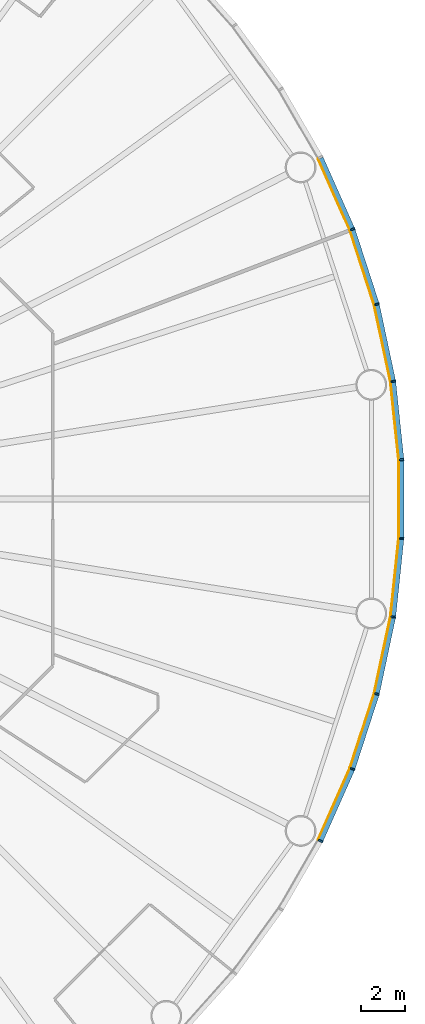
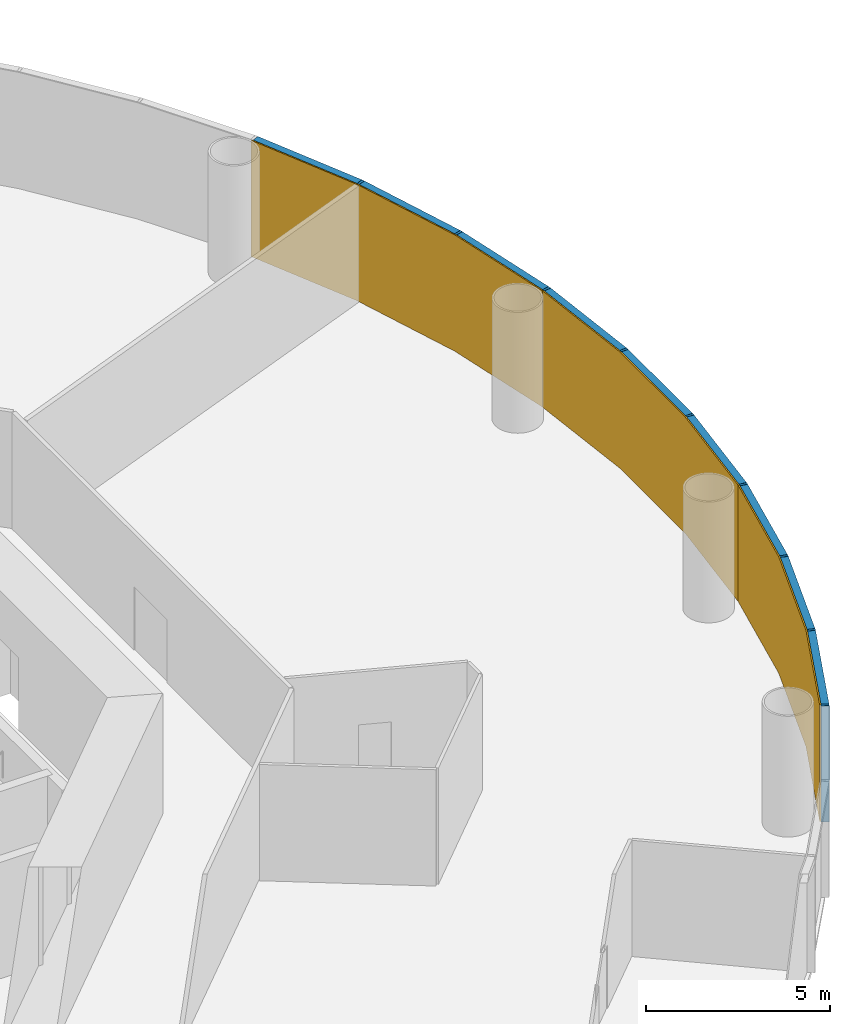
# One storey, part 11 of 13: 18 members, 3 curtain walls.
"""IFC4 building model written with IfcOpenShell, lengths in metres."""

from ifc_helpers import new_model, si_unit, direction, frame, origin, origin_2d, place, context, subcontext, project, spatial, polyline, rectangle, outline, extrude, material, layer, layer_set, material_profile, profile_set, type_object, element, aggregate, save


model = new_model("IFC4")

# Units and contexts
model_context = context("Model", 3, precision=1e-05, world=origin(), true_north=direction((0.0, 1.0)))
body_context = subcontext(model_context, "Body", "Model", "MODEL_VIEW")
ifc_project = project(units=[si_unit("LENGTHUNIT", "METRE"), si_unit("AREAUNIT", "SQUARE_METRE"), si_unit("VOLUMEUNIT", "CUBIC_METRE"), si_unit("PLANEANGLEUNIT", "RADIAN"), si_unit("MASSUNIT", "GRAM", prefix="KILO")], contexts=[model_context])

# Member
ifc_material_1 = material(Name="Anodised aluminium", Category="aluminium")
ifc_material_profile_1 = material_profile(ifc_material_1, rectangle(XDim=0.074951171875, YDim=0.219970703125, at=origin_2d()), Name="Mullion 75 x 220 mm anodised aluminium")
ifc_profile_set_1 = profile_set([ifc_material_profile_1], Name="Anodised aluminium")
member_type_1 = type_object("IfcMemberType", Name="Mullion 75 x 220 mm anodised aluminium", PredefinedType="MULLION", material=ifc_profile_set_1)
site_placement = place(None, origin())
building_placement = place(site_placement, origin())
storey_placement = place(building_placement, frame((0.0, 0.0, 62.0)))
member_1_placement = place(storey_placement, frame((123.68994140625, 85.3359375, 0.0), z_axis=(0.0, 0.0, 1.0), x_axis=(-0.15643446504, 0.987688340595, 0.0)))
member_1 = element("IfcMember", 1, at=member_1_placement, type_object=member_type_1, Name="MULLION L13-00", PredefinedType="MULLION", context=body_context, shape_type="SweptSolid", body=[
    extrude(rectangle(XDim=0.074951171875, YDim=0.219970703125, at=origin_2d()), origin(), (0.0, 0.0, 1.0), 3.85009765625),
])

member_2_placement = place(storey_placement, frame((122.94775390625, 88.828369140625, 0.0), z_axis=(0.0, 0.0, 1.0), x_axis=(-0.258819045103, 0.965925826289, 0.0)))
member_2 = element("IfcMember", 2, at=member_2_placement, type_object=member_type_1, Name="MULLION L13-01", PredefinedType="MULLION", context=body_context, shape_type="SweptSolid", body=[
    extrude(rectangle(XDim=0.074951171875, YDim=0.219970703125, at=origin_2d()), origin(), (0.0, 0.0, 1.0), 3.85009765625),
])

member_3_placement = place(storey_placement, frame((121.844482421875, 92.223876953125, 0.0), z_axis=(0.0, 0.0, 1.0), x_axis=(-0.358367949545, 0.933580426497, 0.0)))
member_3 = element("IfcMember", 3, at=member_3_placement, type_object=member_type_1, Name="MULLION L13-02", PredefinedType="MULLION", context=body_context, shape_type="SweptSolid", body=[
    extrude(rectangle(XDim=0.074951171875, YDim=0.219970703125, at=origin_2d()), origin(), (0.0, 0.0, 1.0), 3.85009765625),
])

member_4_placement = place(storey_placement, frame((120.392333984375, 64.514404296875, 0.0), z_axis=(0.0, 0.0, 1.0), x_axis=(0.45399049974, 0.891006524188, 0.0)))
member_4 = element("IfcMember", 4, at=member_4_placement, type_object=member_type_1, Name="MULLION L13-54", PredefinedType="MULLION", context=body_context, shape_type="SweptSolid", body=[
    extrude(rectangle(XDim=0.074951171875, YDim=0.219970703125, at=origin_2d()), origin(), (0.0, 0.0, 1.0), 3.85009765625),
])

member_5_placement = place(storey_placement, frame((121.844482421875, 67.776123046875, 0.0), z_axis=(0.0, 0.0, 1.0), x_axis=(0.358367949545, 0.933580426497, 0.0)))
member_5 = element("IfcMember", 5, at=member_5_placement, type_object=member_type_1, Name="MULLION L13-55", PredefinedType="MULLION", context=body_context, shape_type="SweptSolid", body=[
    extrude(rectangle(XDim=0.074951171875, YDim=0.219970703125, at=origin_2d()), origin(), (0.0, 0.0, 1.0), 3.85009765625),
])

member_6_placement = place(storey_placement, frame((122.94775390625, 71.171630859375, 0.0), z_axis=(0.0, 0.0, 1.0), x_axis=(0.258819045103, 0.965925826289, 0.0)))
member_6 = element("IfcMember", 6, at=member_6_placement, type_object=member_type_1, Name="MULLION L13-56", PredefinedType="MULLION", context=body_context, shape_type="SweptSolid", body=[
    extrude(rectangle(XDim=0.074951171875, YDim=0.219970703125, at=origin_2d()), origin(), (0.0, 0.0, 1.0), 3.85009765625),
])

member_7_placement = place(storey_placement, frame((123.68994140625, 74.6640625, 0.0), z_axis=(0.0, 0.0, 1.0), x_axis=(0.15643446504, 0.987688340595, 0.0)))
member_7 = element("IfcMember", 7, at=member_7_placement, type_object=member_type_1, Name="MULLION L13-57", PredefinedType="MULLION", context=body_context, shape_type="SweptSolid", body=[
    extrude(rectangle(XDim=0.074951171875, YDim=0.219970703125, at=origin_2d()), origin(), (0.0, 0.0, 1.0), 3.85009765625),
])

member_8_placement = place(storey_placement, frame((124.063232421875, 78.21484375, 0.0), z_axis=(0.0, 0.0, 1.0), x_axis=(0.052335956243, 0.998629534755, 0.0)))
member_8 = element("IfcMember", 8, at=member_8_placement, type_object=member_type_1, Name="MULLION L13-58", PredefinedType="MULLION", context=body_context, shape_type="SweptSolid", body=[
    extrude(rectangle(XDim=0.074951171875, YDim=0.219970703125, at=origin_2d()), origin(), (0.0, 0.0, 1.0), 3.85009765625),
])

member_9_placement = place(storey_placement, frame((124.063232421875, 81.78515625, 0.0), z_axis=(0.0, 0.0, 1.0), x_axis=(-0.052335956243, 0.998629534755, 0.0)))
member_9 = element("IfcMember", 9, at=member_9_placement, type_object=member_type_1, Name="MULLION L13-59", PredefinedType="MULLION", context=body_context, shape_type="SweptSolid", body=[
    extrude(rectangle(XDim=0.074951171875, YDim=0.219970703125, at=origin_2d()), origin(), (0.0, 0.0, 1.0), 3.85009765625),
])

ifc_material_2 = material(Name="Anodised aluminium", Category="aluminium")
ifc_material_profile_2 = material_profile(ifc_material_2, rectangle(XDim=0.219970703125, YDim=0.199951171875, at=origin_2d()), Name="Transom 200 x 220 mm anodised aluminium")
ifc_profile_set_2 = profile_set([ifc_material_profile_2], Name="Anodised aluminium")
member_type_2 = type_object("IfcMemberType", Name="Transom 200 x 220 mm anodised aluminium", PredefinedType="USERDEFINED", material=ifc_profile_set_2)
member_10_placement = place(storey_placement, frame((123.68115234375, 85.37841796875, 3.75), z_axis=(-0.207920776701, 0.978145669426, 0.0), x_axis=(-0.978145669426, -0.207920776701, 0.0)))
member_10 = element("IfcMember", 10, at=member_10_placement, type_object=member_type_2, Name="TRANSOM L13-00", ObjectType="TRANSOM", PredefinedType="USERDEFINED", context=body_context, shape_type="SweptSolid", body=[
    extrude(rectangle(XDim=0.219970703125, YDim=0.199951171875, at=origin_2d()), origin(), (0.0, 0.0, 1.0), 3.48388671875),
])

member_11_placement = place(storey_placement, frame((122.9345703125, 88.869384765625, 3.75), z_axis=(-0.309029029702, 0.951052605696, 0.0), x_axis=(-0.951052605696, -0.309029029702, 0.0)))
member_11 = element("IfcMember", 11, at=member_11_placement, type_object=member_type_2, Name="TRANSOM L13-01", ObjectType="TRANSOM", PredefinedType="USERDEFINED", context=body_context, shape_type="SweptSolid", body=[
    extrude(rectangle(XDim=0.219970703125, YDim=0.199951171875, at=origin_2d()), origin(), (0.0, 0.0, 1.0), 3.484130859375),
])

member_12_placement = place(storey_placement, frame((121.826904296875, 92.263427734375, 3.75), z_axis=(-0.406736576304, 0.913545487371, 0.0), x_axis=(-0.913545487371, -0.406736576304, 0.0)))
member_12 = element("IfcMember", 12, at=member_12_placement, type_object=member_type_2, Name="TRANSOM L13-02", ObjectType="TRANSOM", PredefinedType="USERDEFINED", context=body_context, shape_type="SweptSolid", body=[
    extrude(rectangle(XDim=0.219970703125, YDim=0.199951171875, at=origin_2d()), origin(), (0.0, 0.0, 1.0), 3.48388671875),
])

member_13_placement = place(storey_placement, frame((120.409912109375, 64.553955078125, 3.75), z_axis=(0.406736576304, 0.913545487371, 0.0), x_axis=(-0.913545487371, 0.406736576304, 0.0)))
member_13 = element("IfcMember", 13, at=member_13_placement, type_object=member_type_2, Name="TRANSOM L13-54", ObjectType="TRANSOM", PredefinedType="USERDEFINED", context=body_context, shape_type="SweptSolid", body=[
    extrude(rectangle(XDim=0.219970703125, YDim=0.199951171875, at=origin_2d()), origin(), (0.0, 0.0, 1.0), 3.48388671875),
])

member_14_placement = place(storey_placement, frame((121.85791015625, 67.817138671875, 3.75), z_axis=(0.309029029702, 0.951052605696, 0.0), x_axis=(-0.951052605696, 0.309029029702, 0.0)))
member_14 = element("IfcMember", 14, at=member_14_placement, type_object=member_type_2, Name="TRANSOM L13-55", ObjectType="TRANSOM", PredefinedType="USERDEFINED", context=body_context, shape_type="SweptSolid", body=[
    extrude(rectangle(XDim=0.219970703125, YDim=0.199951171875, at=origin_2d()), origin(), (0.0, 0.0, 1.0), 3.484130859375),
])

member_15_placement = place(storey_placement, frame((122.956787109375, 71.2138671875, 3.75), z_axis=(0.207920776701, 0.978145669426, 0.0), x_axis=(-0.978145669426, 0.207920776701, 0.0)))
member_15 = element("IfcMember", 15, at=member_15_placement, type_object=member_type_2, Name="TRANSOM L13-56", ObjectType="TRANSOM", PredefinedType="USERDEFINED", context=body_context, shape_type="SweptSolid", body=[
    extrude(rectangle(XDim=0.219970703125, YDim=0.199951171875, at=origin_2d()), origin(), (0.0, 0.0, 1.0), 3.48388671875),
])

member_16_placement = place(storey_placement, frame((123.69482421875, 74.70703125, 3.75), z_axis=(0.104484152234, 0.994526551648, 0.0), x_axis=(-0.994526551648, 0.104484152234, 0.0)))
member_16 = element("IfcMember", 16, at=member_16_placement, type_object=member_type_2, Name="TRANSOM L13-57", ObjectType="TRANSOM", PredefinedType="USERDEFINED", context=body_context, shape_type="SweptSolid", body=[
    extrude(rectangle(XDim=0.219970703125, YDim=0.199951171875, at=origin_2d()), origin(), (0.0, 0.0, 1.0), 3.48388671875),
])

member_17_placement = place(storey_placement, frame((124.0634765625, 78.258056640625, 3.75), z_axis=(0.0, 1.0, 0.0), x_axis=(-1.0, 0.0, 0.0)))
member_17 = element("IfcMember", 17, at=member_17_placement, type_object=member_type_2, Name="TRANSOM L13-58", ObjectType="TRANSOM", PredefinedType="USERDEFINED", context=body_context, shape_type="SweptSolid", body=[
    extrude(rectangle(XDim=0.219970703125, YDim=0.199951171875, at=origin_2d()), origin(), (0.0, 0.0, 1.0), 3.48388671875),
])

member_18_placement = place(storey_placement, frame((124.058837890625, 81.828125, 3.75), z_axis=(-0.104484152234, 0.994526551648, 0.0), x_axis=(-0.994526551648, -0.104484152234, 0.0)))
member_18 = element("IfcMember", 18, at=member_18_placement, type_object=member_type_2, Name="TRANSOM L13-59", ObjectType="TRANSOM", PredefinedType="USERDEFINED", context=body_context, shape_type="SweptSolid", body=[
    extrude(rectangle(XDim=0.219970703125, YDim=0.199951171875, at=origin_2d()), origin(), (0.0, 0.0, 1.0), 3.48388671875),
])

# Site, building, storey
site = spatial("IfcSite", under=ifc_project, at=site_placement, CompositionType="ELEMENT")
building = spatial("IfcBuilding", under=site, at=building_placement, Name="Entoto Ring Tower", CompositionType="ELEMENT")
storey = spatial("IfcBuildingStorey", under=building, at=storey_placement, Name="L13", CompositionType="ELEMENT", Elevation=62.0)

# Curtain wall
ifc_material_3 = material(Name="Clear low-iron glass", Category="glass")
ifc_layer = layer(ifc_material_3, 0.0400390625)
ifc_layer_set = layer_set([ifc_layer], Name="Clear low-iron glass")
curtain_wall_type = type_object("IfcCurtainWallType", Name="Curtain wall system CW1 glazing 40 mm", PredefinedType="NOTDEFINED", material=ifc_layer_set)
curtain_wall_1_placement = place(storey_placement, origin())
curtain_wall_1 = element("IfcCurtainWall", 19, at=curtain_wall_1_placement, inside=storey, type_object=curtain_wall_type, Name="CW1 L13-01", PredefinedType="NOTDEFINED", context=body_context, shape_type="SweptSolid", body=[
    extrude(outline(polyline([(123.581298828125, 85.31884765625), (122.841552734375, 88.7998046875), (121.74169921875, 92.1845703125), (120.294189453125, 95.435791015625), (120.258544921875, 95.41748046875), (121.704345703125, 92.170166015625), (122.802734375, 88.78955078125), (123.541748046875, 85.3125), (123.581298828125, 85.31884765625)])), origin(), (0.0, 0.0, 1.0), 3.85009765625),
])

aggregate(curtain_wall_1, [member_1, member_2, member_3, member_10, member_11, member_12])

curtain_wall_2_placement = place(storey_placement, origin())
curtain_wall_2 = element("IfcCurtainWall", 20, at=curtain_wall_2_placement, inside=storey, type_object=curtain_wall_type, Name="CW1 L13-19", PredefinedType="NOTDEFINED", context=body_context, shape_type="SweptSolid", body=[
    extrude(outline(polyline([(120.294189453125, 64.564208984375), (121.74169921875, 67.8154296875), (122.841552734375, 71.2001953125), (123.581298828125, 74.68115234375), (123.541748046875, 74.6875), (122.802734375, 71.21044921875), (121.704345703125, 67.829833984375), (120.258544921875, 64.58251953125), (120.294189453125, 64.564208984375)])), origin(), (0.0, 0.0, 1.0), 3.85009765625),
])

aggregate(curtain_wall_2, [member_4, member_5, member_6, member_13, member_14, member_15])

curtain_wall_3_placement = place(storey_placement, origin())
curtain_wall_3 = element("IfcCurtainWall", 21, at=curtain_wall_3_placement, inside=storey, type_object=curtain_wall_type, Name="CW1 L13-20", PredefinedType="NOTDEFINED", context=body_context, shape_type="SweptSolid", body=[
    extrude(outline(polyline([(123.581298828125, 74.68115234375), (123.953369140625, 78.220458984375), (123.953369140625, 81.779541015625), (123.581298828125, 85.31884765625), (123.541748046875, 85.3125), (123.913330078125, 81.77734375), (123.913330078125, 78.22265625), (123.541748046875, 74.6875), (123.581298828125, 74.68115234375)])), origin(), (0.0, 0.0, 1.0), 3.85009765625),
])

aggregate(curtain_wall_3, [member_7, member_8, member_9, member_16, member_17, member_18])

save(model, "model.ifc")
